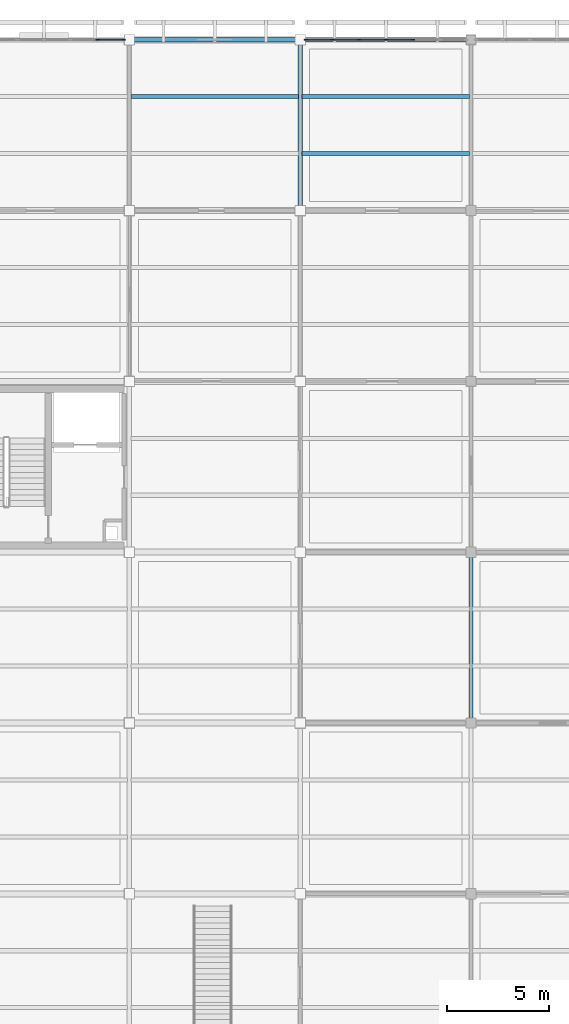
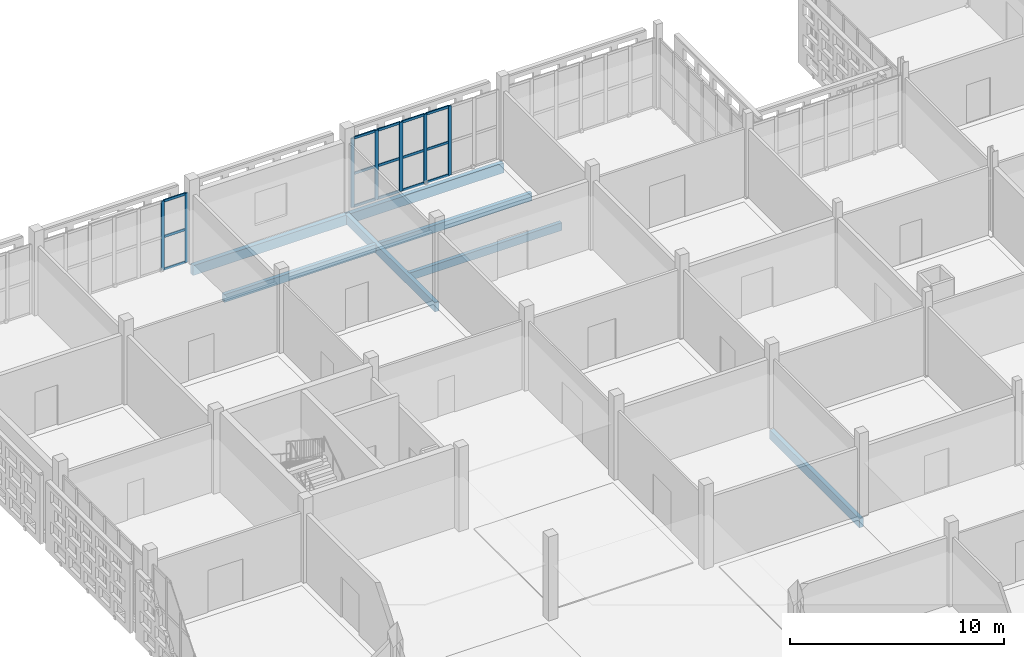
# One storey, part 47 of 203: 22 members, 7 beams, 2 elements without a shape of their own.
"""IFC4 building model written with IfcOpenShell, lengths in metres."""

from ifc_helpers import new_model, si_unit, direction, frame, origin, origin_2d, place, context, subcontext, project, spatial, rectangle, extrude, material, layer, layer_set, material_profile, profile_set, type_object, element, aggregate, save


model = new_model("IFC4")

# Units and contexts
model_context = context("Model", 3, precision=1e-05, world=origin(), true_north=direction((0.0, 1.0)))
body_context = subcontext(model_context, "Body", "Model", "MODEL_VIEW")
ifc_project = project(units=[si_unit("LENGTHUNIT", "METRE"), si_unit("AREAUNIT", "SQUARE_METRE"), si_unit("VOLUMEUNIT", "CUBIC_METRE"), si_unit("PLANEANGLEUNIT", "RADIAN"), si_unit("MASSUNIT", "GRAM", prefix="KILO")], contexts=[model_context])

# Site, building, storey
site_placement = place(None, origin())
site = spatial("IfcSite", under=ifc_project, at=site_placement, CompositionType="ELEMENT")
building_placement = place(site_placement, origin())
building = spatial("IfcBuilding", under=site, at=building_placement, Name="Varnapada Polytechnic", CompositionType="ELEMENT")
storey_placement = place(building_placement, frame((0.0, 0.0, 4.800048828125)))
storey = spatial("IfcBuildingStorey", under=building, at=storey_placement, Name="L01", CompositionType="ELEMENT", Elevation=4.800048828125)

# Beams
ifc_material_1 = material(Name="Glulam GL32h", Category="wood")
ifc_material_profile_1 = material_profile(ifc_material_1, rectangle(XDim=0.199951171875, YDim=0.43994140625, at=origin_2d()), Name="GL 200x440")
ifc_profile_set_1 = profile_set([ifc_material_profile_1], Name="Glulam GL32h")
beam_type_1 = type_object("IfcBeamType", Name="Heavy laboratory glulam joist GJ-03 (GL 200x440)", PredefinedType="JOIST", material=ifc_profile_set_1)
beam_1_placement = place(storey_placement, frame((16.8798828125, 123.199951171875, -0.469970703125), z_axis=(1.0, 0.0, 0.0), x_axis=(0.0, 1.0, 0.0)))
element("IfcBeam", 1, at=beam_1_placement, inside=storey, type_object=beam_type_1, Name="L01 floor joist 3/15.2", PredefinedType="JOIST", context=body_context, shape_type="SweptSolid", body=[
    extrude(rectangle(XDim=0.199951171875, YDim=0.43994140625, at=origin_2d()), origin(), (0.0, 0.0, 1.0), 8.240234375),
])
for number, where, z_axis, x_axis, name in (
    (2, (25.280029296875, 120.39990234375, -0.469970703125), (1.0, 0.0, 0.0), (0.0, 1.0, 0.0), "L01 floor joist 4/15.1"),
    (3, (25.280029296875, 123.199951171875, -0.469970703125), (1.0, 0.0, 0.0), (0.0, 1.0, 0.0), "L01 floor joist 4/15.2"),
):
    element("IfcBeam", number, at=place(storey_placement, frame(where, z_axis=z_axis, x_axis=x_axis)), inside=storey, type_object=beam_type_1, Name=name, PredefinedType="JOIST", context=body_context, shape_type="SweptSolid", body=[
        extrude(rectangle(XDim=0.199951171875, YDim=0.43994140625, at=origin_2d()), origin(), (0.0, 0.0, 1.0), 8.239990234375),
    ])
ifc_material_profile_2 = material_profile(ifc_material_1, rectangle(XDim=0.219970703125, YDim=0.52001953125, at=origin_2d()), Name="GL 220x520")
ifc_profile_set_2 = profile_set([ifc_material_profile_2], Name="Glulam GL32h")
beam_type_2 = type_object("IfcBeamType", Name="Laboratory transverse glulam beam GB-12 (GL 220x520)", PredefinedType="BEAM", material=ifc_profile_set_2)
beam_2_placement = place(storey_placement, frame((25.199951171875, 117.60009765625, -0.510009765625), z_axis=(0.0, 1.0, 0.0), x_axis=(-1.0, 0.0, 0.0)))
element("IfcBeam", 4, at=beam_2_placement, inside=storey, type_object=beam_type_2, Name="L01 beam Y 15-16 at X4", PredefinedType="BEAM", context=body_context, shape_type="SweptSolid", body=[
    extrude(rectangle(XDim=0.219970703125, YDim=0.52001953125, at=origin_2d()), origin(), (0.0, 0.0, 1.0), 8.39990234375),
])
beam_3_placement = place(storey_placement, frame((33.60009765625, 92.39990234375, -0.510009765625), z_axis=(0.0, 1.0, 0.0), x_axis=(-1.0, 0.0, 0.0)))
element("IfcBeam", 5, at=beam_3_placement, inside=storey, type_object=beam_type_2, Name="L01 beam Y 12-13 at X5", PredefinedType="BEAM", context=body_context, shape_type="SweptSolid", body=[
    extrude(rectangle(XDim=0.219970703125, YDim=0.52001953125, at=origin_2d()), origin(), (0.0, 0.0, 1.0), 8.400146484375),
])

# Curtain wall, members
ifc_material_2 = material(Name="Double low-E laminated glass", Category="glass")
ifc_layer = layer(ifc_material_2, 0.179931640625)
ifc_layer_set = layer_set([ifc_layer], Name="Double low-E laminated glass")
curtain_wall_type = type_object("IfcCurtainWallType", Name="Curtain Wall CW-03", PredefinedType="NOTDEFINED", material=ifc_layer_set)
curtain_wall_1_placement = place(storey_placement, origin())
curtain_wall_1 = element("IfcCurtainWall", 6, at=curtain_wall_1_placement, inside=storey, type_object=curtain_wall_type, Name="L01 unitised curtain wall CW-03 (30)", PredefinedType="NOTDEFINED")
ifc_material_3 = material(Name="Anodised aluminium", Category="aluminium")
ifc_material_profile_3 = material_profile(ifc_material_3, rectangle(XDim=0.06494140625, YDim=0.179931640625, at=origin_2d()), Name="ALU M65x180")
ifc_profile_set_3 = profile_set([ifc_material_profile_3], Name="Anodised aluminium")
member_type_1 = type_object("IfcMemberType", Name="Mullion M-02", PredefinedType="MULLION", material=ifc_profile_set_3)
member_1_placement = place(storey_placement, frame((15.2265625, 126.0, 0.0), z_axis=(0.0, 0.0, 1.0), x_axis=(0.0, 1.0, 0.0)))
member_1 = element("IfcMember", 7, at=member_1_placement, type_object=member_type_1, Name="CW-03 mullion 6", PredefinedType="MULLION", context=body_context, shape_type="SweptSolid", body=[
    extrude(rectangle(XDim=0.06494140625, YDim=0.179931640625, at=origin_2d()), origin(), (0.0, 0.0, 1.0), 3.9599609375),
])
member_2_placement = place(storey_placement, frame((16.507568359375, 126.0, 0.0), z_axis=(0.0, 0.0, 1.0), x_axis=(0.0, 1.0, 0.0)))
member_2 = element("IfcMember", 8, at=member_2_placement, type_object=member_type_1, Name="CW-03 mullion 7", PredefinedType="MULLION", context=body_context, shape_type="SweptSolid", body=[
    extrude(rectangle(XDim=0.06494140625, YDim=0.179931640625, at=origin_2d()), origin(), (0.0, 0.0, 1.0), 3.9599609375),
])

curtain_wall_2_placement = place(storey_placement, origin())
curtain_wall_2 = element("IfcCurtainWall", 9, at=curtain_wall_2_placement, inside=storey, type_object=curtain_wall_type, Name="L01 unitised curtain wall CW-03 (34)", PredefinedType="NOTDEFINED")
member_3_placement = place(storey_placement, frame((25.492431640625, 126.0, 0.0), z_axis=(0.0, 0.0, 1.0), x_axis=(0.0, 1.0, 0.0)))
member_3 = element("IfcMember", 10, at=member_3_placement, type_object=member_type_1, Name="CW-03 mullion 1", PredefinedType="MULLION", context=body_context, shape_type="SweptSolid", body=[
    extrude(rectangle(XDim=0.06494140625, YDim=0.179931640625, at=origin_2d()), origin(), (0.0, 0.0, 1.0), 3.9599609375),
])
member_4_placement = place(storey_placement, frame((26.780029296875, 126.0, 0.0), z_axis=(0.0, 0.0, 1.0), x_axis=(0.0, 1.0, 0.0)))
member_4 = element("IfcMember", 11, at=member_4_placement, type_object=member_type_1, Name="CW-03 mullion 2", PredefinedType="MULLION", context=body_context, shape_type="SweptSolid", body=[
    extrude(rectangle(XDim=0.06494140625, YDim=0.179931640625, at=origin_2d()), origin(), (0.0, 0.0, 1.0), 3.9599609375),
])
member_5_placement = place(storey_placement, frame((28.10009765625, 126.0, 0.0), z_axis=(0.0, 0.0, 1.0), x_axis=(0.0, 1.0, 0.0)))
member_5 = element("IfcMember", 12, at=member_5_placement, type_object=member_type_1, Name="CW-03 mullion 3", PredefinedType="MULLION", context=body_context, shape_type="SweptSolid", body=[
    extrude(rectangle(XDim=0.06494140625, YDim=0.179931640625, at=origin_2d()), origin(), (0.0, 0.0, 1.0), 3.9599609375),
])
member_6_placement = place(storey_placement, frame((29.419921875, 126.0, 0.0), z_axis=(0.0, 0.0, 1.0), x_axis=(0.0, 1.0, 0.0)))
member_6 = element("IfcMember", 13, at=member_6_placement, type_object=member_type_1, Name="CW-03 mullion 4", PredefinedType="MULLION", context=body_context, shape_type="SweptSolid", body=[
    extrude(rectangle(XDim=0.06494140625, YDim=0.179931640625, at=origin_2d()), origin(), (0.0, 0.0, 1.0), 3.9599609375),
])
member_7_placement = place(storey_placement, frame((30.739990234375, 126.0, 0.0), z_axis=(0.0, 0.0, 1.0), x_axis=(0.0, 1.0, 0.0)))
member_7 = element("IfcMember", 14, at=member_7_placement, type_object=member_type_1, Name="CW-03 mullion 5", PredefinedType="MULLION", context=body_context, shape_type="SweptSolid", body=[
    extrude(rectangle(XDim=0.06494140625, YDim=0.179931640625, at=origin_2d()), origin(), (0.0, 0.0, 1.0), 3.9599609375),
])

# Beams
ifc_material_profile_4 = material_profile(ifc_material_1, rectangle(XDim=0.239990234375, YDim=0.56005859375, at=origin_2d()), Name="GL 240x560")
ifc_profile_set_4 = profile_set([ifc_material_profile_4], Name="Glulam GL32h")
beam_type_3 = type_object("IfcBeamType", Name="Perimeter glulam spandrel beam SP-02 (GL 240x560)", PredefinedType="SPANDREL", material=ifc_profile_set_4)
beam_4_placement = place(storey_placement, frame((16.800048828125, 126.0, -0.530029296875), z_axis=(1.0, 0.0, 0.0), x_axis=(0.0, 1.0, 0.0)))
element("IfcBeam", 15, at=beam_4_placement, inside=storey, type_object=beam_type_3, Name="L01 beam X 3-4 at Y16", PredefinedType="SPANDREL", context=body_context, shape_type="SweptSolid", body=[
    extrude(rectangle(XDim=0.239990234375, YDim=0.56005859375, at=origin_2d()), origin(), (0.0, 0.0, 1.0), 8.39990234375),
])
beam_5_placement = place(storey_placement, frame((25.199951171875, 126.0, -0.530029296875), z_axis=(1.0, 0.0, 0.0), x_axis=(0.0, 1.0, 0.0)))
element("IfcBeam", 16, at=beam_5_placement, inside=storey, type_object=beam_type_3, Name="L01 beam X 4-5 at Y16", PredefinedType="SPANDREL", context=body_context, shape_type="SweptSolid", body=[
    extrude(rectangle(XDim=0.239990234375, YDim=0.56005859375, at=origin_2d()), origin(), (0.0, 0.0, 1.0), 8.400146484375),
])

# Member
ifc_material_profile_5 = material_profile(ifc_material_3, rectangle(XDim=0.06494140625, YDim=0.139892578125, at=origin_2d()), Name="ALU T65x140")
ifc_profile_set_5 = profile_set([ifc_material_profile_5], Name="Anodised aluminium")
member_type_2 = type_object("IfcMemberType", Name="Transom T-02", PredefinedType="USERDEFINED", material=ifc_profile_set_5)
member_8_placement = place(storey_placement, frame((15.25927734375, 126.0, 0.032470703125), z_axis=(1.0, 0.0, 0.0), x_axis=(0.0, 1.0, 0.0)))
member_8 = element("IfcMember", 17, at=member_8_placement, type_object=member_type_2, Name="CW-03 transom 6.1", ObjectType="TRANSOM", PredefinedType="USERDEFINED", context=body_context, shape_type="SweptSolid", body=[
    extrude(rectangle(XDim=0.06494140625, YDim=0.139892578125, at=origin_2d()), origin(), (0.0, 0.0, 1.0), 1.2158203125),
])

member_9_placement = place(storey_placement, frame((15.25927734375, 126.0, 1.900634765625), z_axis=(1.0, 0.0, 0.0), x_axis=(0.0, 1.0, 0.0)))
member_9 = element("IfcMember", 18, at=member_9_placement, type_object=member_type_2, Name="CW-03 transom 6.2", ObjectType="TRANSOM", PredefinedType="USERDEFINED", context=body_context, shape_type="SweptSolid", body=[
    extrude(rectangle(XDim=0.06494140625, YDim=0.139892578125, at=origin_2d()), origin(), (0.0, 0.0, 1.0), 1.2158203125),
])

member_10_placement = place(storey_placement, frame((15.25927734375, 126.0, 3.927490234375), z_axis=(1.0, 0.0, 0.0), x_axis=(0.0, 1.0, 0.0)))
member_10 = element("IfcMember", 19, at=member_10_placement, type_object=member_type_2, Name="CW-03 transom 6.3", ObjectType="TRANSOM", PredefinedType="USERDEFINED", context=body_context, shape_type="SweptSolid", body=[
    extrude(rectangle(XDim=0.06494140625, YDim=0.139892578125, at=origin_2d()), origin(), (0.0, 0.0, 1.0), 1.2158203125),
])

aggregate(curtain_wall_1, [member_1, member_2, member_8, member_9, member_10])

member_11_placement = place(storey_placement, frame((25.52490234375, 126.0, 0.032470703125), z_axis=(1.0, 0.0, 0.0), x_axis=(0.0, 1.0, 0.0)))
member_11 = element("IfcMember", 20, at=member_11_placement, type_object=member_type_2, Name="CW-03 transom 1.1", ObjectType="TRANSOM", PredefinedType="USERDEFINED", context=body_context, shape_type="SweptSolid", body=[
    extrude(rectangle(XDim=0.06494140625, YDim=0.139892578125, at=origin_2d()), origin(), (0.0, 0.0, 1.0), 1.22265625),
])

member_12_placement = place(storey_placement, frame((25.52490234375, 126.0, 1.900634765625), z_axis=(1.0, 0.0, 0.0), x_axis=(0.0, 1.0, 0.0)))
member_12 = element("IfcMember", 21, at=member_12_placement, type_object=member_type_2, Name="CW-03 transom 1.2", ObjectType="TRANSOM", PredefinedType="USERDEFINED", context=body_context, shape_type="SweptSolid", body=[
    extrude(rectangle(XDim=0.06494140625, YDim=0.139892578125, at=origin_2d()), origin(), (0.0, 0.0, 1.0), 1.22265625),
])

member_13_placement = place(storey_placement, frame((25.52490234375, 126.0, 3.927490234375), z_axis=(1.0, 0.0, 0.0), x_axis=(0.0, 1.0, 0.0)))
member_13 = element("IfcMember", 22, at=member_13_placement, type_object=member_type_2, Name="CW-03 transom 1.3", ObjectType="TRANSOM", PredefinedType="USERDEFINED", context=body_context, shape_type="SweptSolid", body=[
    extrude(rectangle(XDim=0.06494140625, YDim=0.139892578125, at=origin_2d()), origin(), (0.0, 0.0, 1.0), 1.22265625),
])

member_14_placement = place(storey_placement, frame((26.8125, 126.0, 0.032470703125), z_axis=(1.0, 0.0, 0.0), x_axis=(0.0, 1.0, 0.0)))
member_14 = element("IfcMember", 23, at=member_14_placement, type_object=member_type_2, Name="CW-03 transom 2.1", ObjectType="TRANSOM", PredefinedType="USERDEFINED", context=body_context, shape_type="SweptSolid", body=[
    extrude(rectangle(XDim=0.06494140625, YDim=0.139892578125, at=origin_2d()), origin(), (0.0, 0.0, 1.0), 1.2548828125),
])

member_15_placement = place(storey_placement, frame((26.8125, 126.0, 1.900634765625), z_axis=(1.0, 0.0, 0.0), x_axis=(0.0, 1.0, 0.0)))
member_15 = element("IfcMember", 24, at=member_15_placement, type_object=member_type_2, Name="CW-03 transom 2.2", ObjectType="TRANSOM", PredefinedType="USERDEFINED", context=body_context, shape_type="SweptSolid", body=[
    extrude(rectangle(XDim=0.06494140625, YDim=0.139892578125, at=origin_2d()), origin(), (0.0, 0.0, 1.0), 1.2548828125),
])

member_16_placement = place(storey_placement, frame((26.8125, 126.0, 3.927490234375), z_axis=(1.0, 0.0, 0.0), x_axis=(0.0, 1.0, 0.0)))
member_16 = element("IfcMember", 25, at=member_16_placement, type_object=member_type_2, Name="CW-03 transom 2.3", ObjectType="TRANSOM", PredefinedType="USERDEFINED", context=body_context, shape_type="SweptSolid", body=[
    extrude(rectangle(XDim=0.06494140625, YDim=0.139892578125, at=origin_2d()), origin(), (0.0, 0.0, 1.0), 1.2548828125),
])

member_17_placement = place(storey_placement, frame((28.132568359375, 126.0, 0.032470703125), z_axis=(1.0, 0.0, 0.0), x_axis=(0.0, 1.0, 0.0)))
member_17 = element("IfcMember", 26, at=member_17_placement, type_object=member_type_2, Name="CW-03 transom 3.1", ObjectType="TRANSOM", PredefinedType="USERDEFINED", context=body_context, shape_type="SweptSolid", body=[
    extrude(rectangle(XDim=0.06494140625, YDim=0.139892578125, at=origin_2d()), origin(), (0.0, 0.0, 1.0), 1.2548828125),
])

member_18_placement = place(storey_placement, frame((28.132568359375, 126.0, 1.900634765625), z_axis=(1.0, 0.0, 0.0), x_axis=(0.0, 1.0, 0.0)))
member_18 = element("IfcMember", 27, at=member_18_placement, type_object=member_type_2, Name="CW-03 transom 3.2", ObjectType="TRANSOM", PredefinedType="USERDEFINED", context=body_context, shape_type="SweptSolid", body=[
    extrude(rectangle(XDim=0.06494140625, YDim=0.139892578125, at=origin_2d()), origin(), (0.0, 0.0, 1.0), 1.2548828125),
])

member_19_placement = place(storey_placement, frame((28.132568359375, 126.0, 3.927490234375), z_axis=(1.0, 0.0, 0.0), x_axis=(0.0, 1.0, 0.0)))
member_19 = element("IfcMember", 28, at=member_19_placement, type_object=member_type_2, Name="CW-03 transom 3.3", ObjectType="TRANSOM", PredefinedType="USERDEFINED", context=body_context, shape_type="SweptSolid", body=[
    extrude(rectangle(XDim=0.06494140625, YDim=0.139892578125, at=origin_2d()), origin(), (0.0, 0.0, 1.0), 1.2548828125),
])

member_20_placement = place(storey_placement, frame((29.452392578125, 126.0, 0.032470703125), z_axis=(1.0, 0.0, 0.0), x_axis=(0.0, 1.0, 0.0)))
member_20 = element("IfcMember", 29, at=member_20_placement, type_object=member_type_2, Name="CW-03 transom 4.1", ObjectType="TRANSOM", PredefinedType="USERDEFINED", context=body_context, shape_type="SweptSolid", body=[
    extrude(rectangle(XDim=0.06494140625, YDim=0.139892578125, at=origin_2d()), origin(), (0.0, 0.0, 1.0), 1.255126953125),
])

member_21_placement = place(storey_placement, frame((29.452392578125, 126.0, 1.900634765625), z_axis=(1.0, 0.0, 0.0), x_axis=(0.0, 1.0, 0.0)))
member_21 = element("IfcMember", 30, at=member_21_placement, type_object=member_type_2, Name="CW-03 transom 4.2", ObjectType="TRANSOM", PredefinedType="USERDEFINED", context=body_context, shape_type="SweptSolid", body=[
    extrude(rectangle(XDim=0.06494140625, YDim=0.139892578125, at=origin_2d()), origin(), (0.0, 0.0, 1.0), 1.255126953125),
])

member_22_placement = place(storey_placement, frame((29.452392578125, 126.0, 3.927490234375), z_axis=(1.0, 0.0, 0.0), x_axis=(0.0, 1.0, 0.0)))
member_22 = element("IfcMember", 31, at=member_22_placement, type_object=member_type_2, Name="CW-03 transom 4.3", ObjectType="TRANSOM", PredefinedType="USERDEFINED", context=body_context, shape_type="SweptSolid", body=[
    extrude(rectangle(XDim=0.06494140625, YDim=0.139892578125, at=origin_2d()), origin(), (0.0, 0.0, 1.0), 1.255126953125),
])

aggregate(curtain_wall_2, [member_3, member_4, member_5, member_6, member_7, member_11, member_12, member_13, member_14, member_15, member_16, member_17, member_18, member_19, member_20, member_21, member_22])

save(model, "model.ifc")
